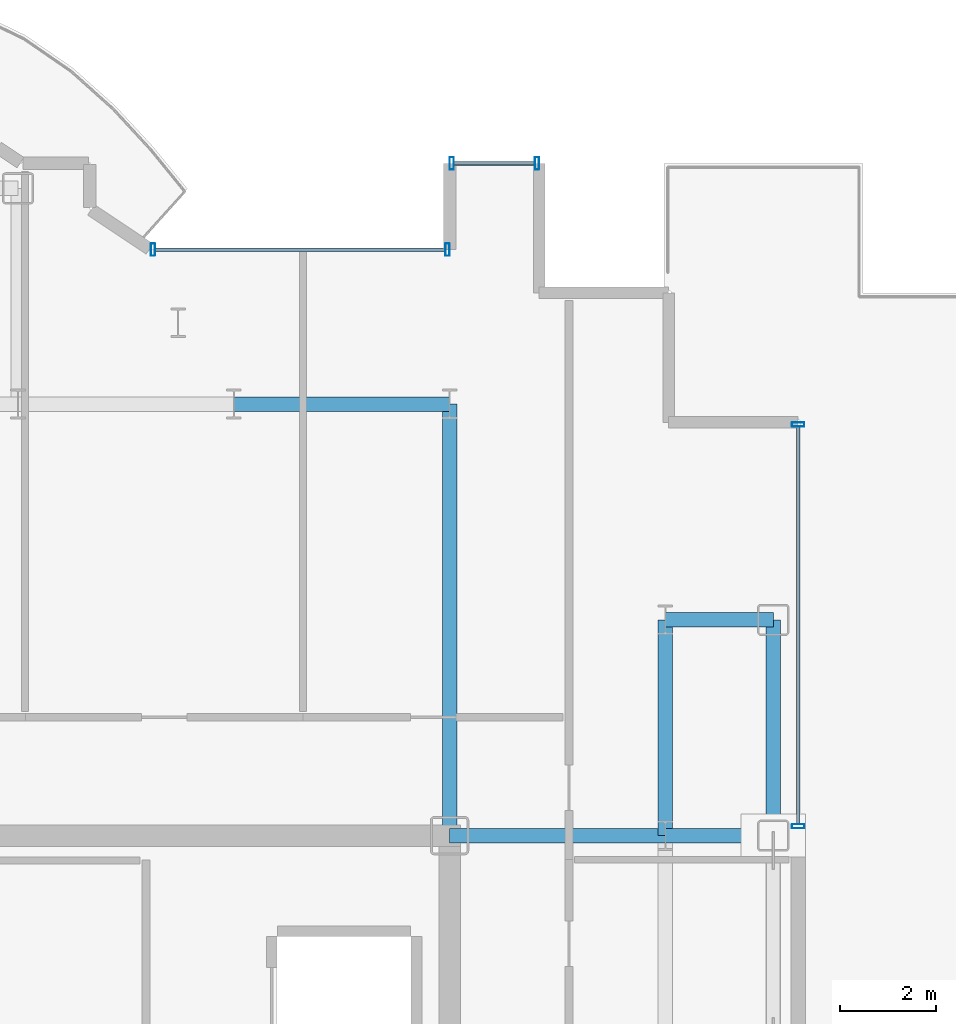
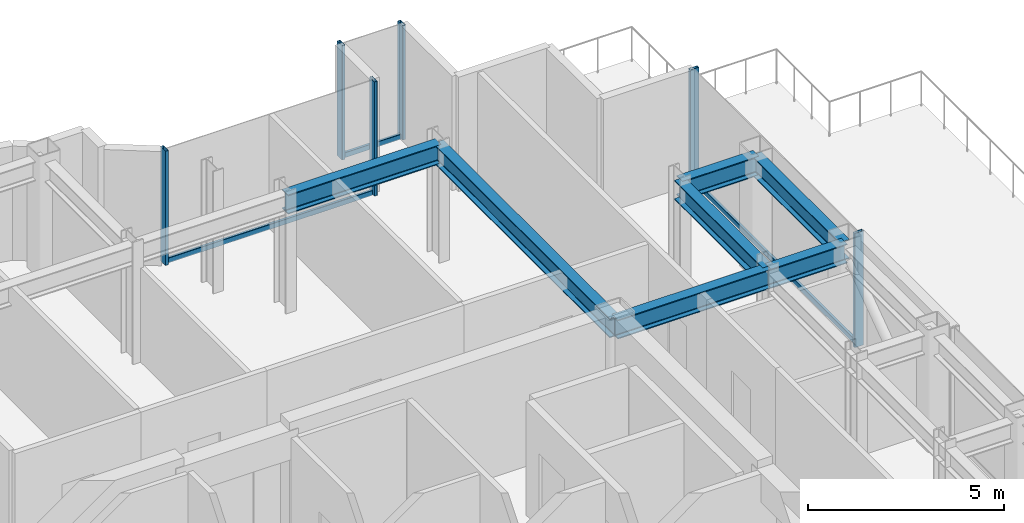
# One storey, part 9 of 17: 9 members, 7 beams, 3 elements without a shape of their own.
"""IFC4 building model written with IfcOpenShell, lengths in metres."""

from ifc_helpers import new_model, si_unit, direction, frame, origin, origin_2d, place, context, subcontext, project, spatial, hollow_rectangle, i_section, extrude, source, transform, mapped, material, layer, layer_set, material_profile, profile_set, type_object, element, aggregate, save


model = new_model("IFC4")

# Units and contexts
model_context = context("Model", 3, precision=1e-05, world=origin(), true_north=direction((0.0, 1.0)))
body_context = subcontext(model_context, "Body", "Model", "MODEL_VIEW")
ifc_project = project(units=[si_unit("LENGTHUNIT", "METRE"), si_unit("AREAUNIT", "SQUARE_METRE"), si_unit("VOLUMEUNIT", "CUBIC_METRE"), si_unit("PLANEANGLEUNIT", "RADIAN"), si_unit("MASSUNIT", "GRAM", prefix="KILO")], contexts=[model_context])

# Site, building, storey
site_placement = place(None, origin())
site = spatial("IfcSite", under=ifc_project, at=site_placement, CompositionType="ELEMENT")
building_placement = place(site_placement, origin())
building = spatial("IfcBuilding", under=site, at=building_placement, Name="Nefas-Gora Pilgrimage Tower", CompositionType="ELEMENT")
storey_placement = place(building_placement, frame((0.0, 0.0, 264.60009765625)))
storey = spatial("IfcBuildingStorey", under=building, at=storey_placement, Name="L66", CompositionType="ELEMENT", Elevation=264.60009765625)

# Beams
ifc_material_1 = material(Name="Steel S355", Category="steel")
ifc_material_profile_1 = material_profile(ifc_material_1, i_section(OverallWidth=0.300048828125, OverallDepth=0.60009765625, WebThickness=0.015380859375, FlangeThickness=0.030029296875, FilletRadius=0.027099609375, at=origin_2d()), Name="HEB 600")
ifc_profile_set_1 = profile_set([ifc_material_profile_1], Name="Steel S355")
beam_type_1 = type_object("IfcBeamType", Name="BM-SPN-HEB450", PredefinedType="SPANDREL", material=ifc_profile_set_1)
shared_shape_1 = source(origin(), body_context, "Body", "SweptSolid", [
    extrude(i_section(OverallWidth=0.300048828125, OverallDepth=0.60009765625, WebThickness=0.015380859375, FlangeThickness=0.030029296875, FilletRadius=0.027099609375, at=origin_2d()), origin(), (0.0, 0.0, 1.0), 4.5),
])
beam_1_placement = place(storey_placement, frame((18.0, 9.0, 3.25), z_axis=(0.0, 1.0, 0.0), x_axis=(-1.0, 0.0, 0.0)))
element("IfcBeam", 1, at=beam_1_placement, inside=storey, type_object=beam_type_1, Name="L66 SP-03 beam", PredefinedType="SPANDREL", context=body_context, shape_type="MappedRepresentation", body=[
    mapped(shared_shape_1, transform((0.0, 0.0, 0.0), x_axis=(1.0, 0.0, 0.0), y_axis=(0.0, 1.0, 0.0), z_axis=(0.0, 0.0, 1.0), scale=1.0)),
])
ifc_material_profile_2 = material_profile(ifc_material_1, i_section(OverallWidth=0.300048828125, OverallDepth=0.60009765625, WebThickness=0.015380859375, FlangeThickness=0.030029296875, FilletRadius=0.027099609375, at=origin_2d()), Name="HEB 600")
ifc_profile_set_2 = profile_set([ifc_material_profile_2], Name="Steel S355")
beam_type_2 = type_object("IfcBeamType", Name="BM-GIR-HEB600", PredefinedType="BEAM", material=ifc_profile_set_2)
shared_shape_2 = source(origin(), body_context, "Body", "SweptSolid", [
    extrude(i_section(OverallWidth=0.300048828125, OverallDepth=0.60009765625, WebThickness=0.015380859375, FlangeThickness=0.030029296875, FilletRadius=0.027099609375, at=origin_2d()), origin(), (0.0, 0.0, 1.0), 9.0),
])
beam_2_placement = place(storey_placement, frame((11.25, 9.0, 3.25), z_axis=(0.0, 1.0, 0.0), x_axis=(-1.0, 0.0, 0.0)))
element("IfcBeam", 2, at=beam_2_placement, inside=storey, type_object=beam_type_2, Name="L66 G-04 beam", PredefinedType="BEAM", context=body_context, shape_type="MappedRepresentation", body=[
    mapped(shared_shape_2, transform((0.0, 0.0, 0.0), x_axis=(1.0, 0.0, 0.0), y_axis=(0.0, 1.0, 0.0), z_axis=(0.0, 0.0, 1.0), scale=1.0)),
])
shared_shape_3 = source(origin(), body_context, "Body", "SweptSolid", [
    extrude(i_section(OverallWidth=0.300048828125, OverallDepth=0.60009765625, WebThickness=0.015380859375, FlangeThickness=0.030029296875, FilletRadius=0.027099609375, at=origin_2d()), origin(), (0.0, 0.0, 1.0), 4.5),
])
for number, where, z_axis, x_axis, name in (
    (3, (6.75, 18.0, 3.25), (1.0, 0.0, 0.0), (0.0, 1.0, 0.0), "L66 G-04 beam"),
    (4, (11.25, 9.0, 3.25), (1.0, 0.0, 0.0), (0.0, 1.0, 0.0), "L66 G-04 beam"),
    (5, (15.75, 9.0, 3.25), (0.0, 1.0, 0.0), (-1.0, 0.0, 0.0), "L66 G-04 beam"),
):
    element("IfcBeam", number, at=place(storey_placement, frame(where, z_axis=z_axis, x_axis=x_axis)), inside=storey, type_object=beam_type_2, Name=name, PredefinedType="BEAM", context=body_context, shape_type="MappedRepresentation", body=[
        mapped(shared_shape_3, transform((0.0, 0.0, 0.0), x_axis=(1.0, 0.0, 0.0), y_axis=(0.0, 1.0, 0.0), z_axis=(0.0, 0.0, 1.0), scale=1.0)),
    ])
shared_shape_4 = source(origin(), body_context, "Body", "SweptSolid", [
    extrude(i_section(OverallWidth=0.300048828125, OverallDepth=0.60009765625, WebThickness=0.015380859375, FlangeThickness=0.030029296875, FilletRadius=0.027099609375, at=origin_2d()), origin(), (0.0, 0.0, 1.0), 2.25),
])
for number, where, z_axis, x_axis, name in (
    (6, (15.75, 9.0, 3.25), (1.0, 0.0, 0.0), (0.0, 1.0, 0.0), "L66 G-04 beam"),
    (7, (15.75, 13.5, 3.25), (1.0, 0.0, 0.0), (0.0, 1.0, 0.0), "L66 G-04 beam"),
):
    element("IfcBeam", number, at=place(storey_placement, frame(where, z_axis=z_axis, x_axis=x_axis)), inside=storey, type_object=beam_type_2, Name=name, PredefinedType="BEAM", context=body_context, shape_type="MappedRepresentation", body=[
        mapped(shared_shape_4, transform((0.0, 0.0, 0.0), x_axis=(1.0, 0.0, 0.0), y_axis=(0.0, 1.0, 0.0), z_axis=(0.0, 0.0, 1.0), scale=1.0)),
    ])

# Curtain wall, members
ifc_material_2 = material(Name="Dark ceramic-fritted solar-control aluminium-glass curtain wall", Category="aluminium")
ifc_layer_1 = layer(ifc_material_2, 0.219970703125)
ifc_layer_set_1 = layer_set([ifc_layer_1], Name="Dark ceramic-fritted solar-control aluminium-glass curtain wall")
curtain_wall_type_1 = type_object("IfcCurtainWallType", Name="CW-SYS-5", PredefinedType="NOTDEFINED", material=ifc_layer_set_1)
curtain_wall_1_placement = place(storey_placement, origin())
curtain_wall_1 = element("IfcCurtainWall", 8, at=curtain_wall_1_placement, inside=storey, type_object=curtain_wall_type_1, Name="L66 Unitised Curtain Wall CW5", PredefinedType="NOTDEFINED")
ifc_material_3 = material(Name="Anodised architectural aluminium", Category="aluminium")
ifc_material_profile_3 = material_profile(ifc_material_3, hollow_rectangle(XDim=0.080078125, YDim=0.159912109375, WallThickness=0.00439453125, InnerFilletRadius=0.00439453125, OuterFilletRadius=0.009033203125, at=origin_2d()), Name="ALU TRANSOM 80x160")
ifc_profile_set_3 = profile_set([ifc_material_profile_3], Name="Anodised architectural aluminium")
member_type_1 = type_object("IfcMemberType", Name="CWM-TRN-5", PredefinedType="USERDEFINED", material=ifc_profile_set_3)
shared_shape_5 = source(origin(), body_context, "Body", "SweptSolid", [
    extrude(hollow_rectangle(XDim=0.080078125, YDim=0.159912109375, WallThickness=0.00439453125, InnerFilletRadius=0.00439453125, OuterFilletRadius=0.009033203125, at=origin_2d()), origin(), (0.0, 0.0, 1.0), 6.052001953125),
])
member_1_placement = place(storey_placement, frame((11.159912109375, 21.219970703125, 0.0498046875), z_axis=(-1.0, 0.0, 0.0), x_axis=(0.0, -1.0, 0.0)))
member_1 = element("IfcMember", 9, at=member_1_placement, type_object=member_type_1, Name="CW5 Spandrel Transom", ObjectType="TRANSOM", PredefinedType="USERDEFINED", context=body_context, shape_type="MappedRepresentation", body=[
    mapped(shared_shape_5, transform((0.0, 0.0, 0.0), x_axis=(1.0, 0.0, 0.0), y_axis=(0.0, 1.0, 0.0), z_axis=(0.0, 0.0, 1.0), scale=1.0)),
])
ifc_material_profile_4 = material_profile(ifc_material_3, hollow_rectangle(XDim=0.090087890625, YDim=0.260009765625, WallThickness=0.006103515625, InnerFilletRadius=0.006103515625, OuterFilletRadius=0.011962890625, at=origin_2d()), Name="ALU MULLION 90x260")
ifc_profile_set_4 = profile_set([ifc_material_profile_4], Name="Anodised architectural aluminium")
member_type_2 = type_object("IfcMemberType", Name="CWM-MUL-5", PredefinedType="MULLION", material=ifc_profile_set_4)
shared_shape_6 = source(origin(), body_context, "Body", "SweptSolid", [
    extrude(hollow_rectangle(XDim=0.090087890625, YDim=0.260009765625, WallThickness=0.006103515625, InnerFilletRadius=0.006103515625, OuterFilletRadius=0.011962890625, at=origin_2d()), origin(), (0.0, 0.0, 1.0), 3.5498046875),
])
member_2_placement = place(storey_placement, frame((11.205078125, 21.219970703125, 0.0), z_axis=(0.0, 0.0, 1.0), x_axis=(-1.0, 0.0, 0.0)))
member_2 = element("IfcMember", 10, at=member_2_placement, type_object=member_type_2, Name="CW5 Mullion 1", PredefinedType="MULLION", context=body_context, shape_type="MappedRepresentation", body=[
    mapped(shared_shape_6, transform((0.0, 0.0, 0.0), x_axis=(1.0, 0.0, 0.0), y_axis=(0.0, 1.0, 0.0), z_axis=(0.0, 0.0, 1.0), scale=1.0)),
])
member_3_placement = place(storey_placement, frame((5.06298828125, 21.219970703125, 0.0), z_axis=(0.0, 0.0, 1.0), x_axis=(-1.0, 0.0, 0.0)))
member_3 = element("IfcMember", 11, at=member_3_placement, type_object=member_type_2, Name="CW5 Mullion 2", PredefinedType="MULLION", context=body_context, shape_type="MappedRepresentation", body=[
    mapped(shared_shape_6, transform((0.0, 0.0, 0.0), x_axis=(1.0, 0.0, 0.0), y_axis=(0.0, 1.0, 0.0), z_axis=(0.0, 0.0, 1.0), scale=1.0)),
])
aggregate(curtain_wall_1, [member_2, member_3, member_1])

ifc_layer_2 = layer(ifc_material_2, 0.219970703125)
ifc_layer_set_2 = layer_set([ifc_layer_2], Name="Dark ceramic-fritted solar-control aluminium-glass curtain wall")
curtain_wall_type_2 = type_object("IfcCurtainWallType", Name="CW-SYS-4", PredefinedType="NOTDEFINED", material=ifc_layer_set_2)
curtain_wall_2_placement = place(storey_placement, origin())
curtain_wall_2 = element("IfcCurtainWall", 12, at=curtain_wall_2_placement, inside=storey, type_object=curtain_wall_type_2, Name="L66 Unitised Curtain Wall CW4", PredefinedType="NOTDEFINED")
ifc_material_profile_5 = material_profile(ifc_material_3, hollow_rectangle(XDim=0.090087890625, YDim=0.260009765625, WallThickness=0.006103515625, InnerFilletRadius=0.006103515625, OuterFilletRadius=0.011962890625, at=origin_2d()), Name="ALU MULLION 90x260")
ifc_profile_set_5 = profile_set([ifc_material_profile_5], Name="Anodised architectural aluminium")
member_type_3 = type_object("IfcMemberType", Name="CWM-MUL-4", PredefinedType="MULLION", material=ifc_profile_set_5)
shared_shape_7 = source(origin(), body_context, "Body", "SweptSolid", [
    extrude(hollow_rectangle(XDim=0.090087890625, YDim=0.260009765625, WallThickness=0.006103515625, InnerFilletRadius=0.006103515625, OuterFilletRadius=0.011962890625, at=origin_2d()), origin(), (0.0, 0.0, 1.0), 3.5498046875),
])
member_4_placement = place(storey_placement, frame((18.52001953125, 9.195068359375, 0.0), z_axis=(0.0, 0.0, 1.0), x_axis=(0.0, 1.0, 0.0)))
member_4 = element("IfcMember", 13, at=member_4_placement, type_object=member_type_3, Name="CW4 Mullion 1", PredefinedType="MULLION", context=body_context, shape_type="MappedRepresentation", body=[
    mapped(shared_shape_7, transform((0.0, 0.0, 0.0), x_axis=(1.0, 0.0, 0.0), y_axis=(0.0, 1.0, 0.0), z_axis=(0.0, 0.0, 1.0), scale=1.0)),
])
member_5_placement = place(storey_placement, frame((18.52001953125, 17.574951171875, 0.0), z_axis=(0.0, 0.0, 1.0), x_axis=(0.0, 1.0, 0.0)))
member_5 = element("IfcMember", 14, at=member_5_placement, type_object=member_type_3, Name="CW4 Mullion 2", PredefinedType="MULLION", context=body_context, shape_type="MappedRepresentation", body=[
    mapped(shared_shape_7, transform((0.0, 0.0, 0.0), x_axis=(1.0, 0.0, 0.0), y_axis=(0.0, 1.0, 0.0), z_axis=(0.0, 0.0, 1.0), scale=1.0)),
])

curtain_wall_3_placement = place(storey_placement, origin())
curtain_wall_3 = element("IfcCurtainWall", 15, at=curtain_wall_3_placement, inside=storey, type_object=curtain_wall_type_2, Name="L66 Unitised Curtain Wall CW4", PredefinedType="NOTDEFINED")
member_6_placement = place(storey_placement, frame((13.074951171875, 23.02001953125, 0.0), z_axis=(0.0, 0.0, 1.0), x_axis=(-1.0, 0.0, 0.0)))
member_6 = element("IfcMember", 16, at=member_6_placement, type_object=member_type_3, Name="CW4 Mullion 1", PredefinedType="MULLION", context=body_context, shape_type="MappedRepresentation", body=[
    mapped(shared_shape_7, transform((0.0, 0.0, 0.0), x_axis=(1.0, 0.0, 0.0), y_axis=(0.0, 1.0, 0.0), z_axis=(0.0, 0.0, 1.0), scale=1.0)),
])
member_7_placement = place(storey_placement, frame((11.294921875, 23.02001953125, 0.0), z_axis=(0.0, 0.0, 1.0), x_axis=(-1.0, 0.0, 0.0)))
member_7 = element("IfcMember", 17, at=member_7_placement, type_object=member_type_3, Name="CW4 Mullion 2", PredefinedType="MULLION", context=body_context, shape_type="MappedRepresentation", body=[
    mapped(shared_shape_7, transform((0.0, 0.0, 0.0), x_axis=(1.0, 0.0, 0.0), y_axis=(0.0, 1.0, 0.0), z_axis=(0.0, 0.0, 1.0), scale=1.0)),
])

# Member
ifc_material_profile_6 = material_profile(ifc_material_3, hollow_rectangle(XDim=0.080078125, YDim=0.159912109375, WallThickness=0.00439453125, InnerFilletRadius=0.00439453125, OuterFilletRadius=0.009033203125, at=origin_2d()), Name="ALU TRANSOM 80x160")
ifc_profile_set_6 = profile_set([ifc_material_profile_6], Name="Anodised architectural aluminium")
member_type_4 = type_object("IfcMemberType", Name="CWM-TRN-4", PredefinedType="USERDEFINED", material=ifc_profile_set_6)
shared_shape_8 = source(origin(), body_context, "Body", "SweptSolid", [
    extrude(hollow_rectangle(XDim=0.080078125, YDim=0.159912109375, WallThickness=0.00439453125, InnerFilletRadius=0.00439453125, OuterFilletRadius=0.009033203125, at=origin_2d()), origin(), (0.0, 0.0, 1.0), 8.2900390625),
])
member_8_placement = place(storey_placement, frame((18.52001953125, 9.239990234375, 0.0498046875), z_axis=(0.0, 1.0, 0.0), x_axis=(-1.0, 0.0, 0.0)))
member_8 = element("IfcMember", 18, at=member_8_placement, type_object=member_type_4, Name="CW4 Spandrel Transom", ObjectType="TRANSOM", PredefinedType="USERDEFINED", context=body_context, shape_type="MappedRepresentation", body=[
    mapped(shared_shape_8, transform((0.0, 0.0, 0.0), x_axis=(1.0, 0.0, 0.0), y_axis=(0.0, 1.0, 0.0), z_axis=(0.0, 0.0, 1.0), scale=1.0)),
])

aggregate(curtain_wall_2, [member_4, member_5, member_8])

shared_shape_9 = source(origin(), body_context, "Body", "SweptSolid", [
    extrude(hollow_rectangle(XDim=0.080078125, YDim=0.159912109375, WallThickness=0.00439453125, InnerFilletRadius=0.00439453125, OuterFilletRadius=0.009033203125, at=origin_2d()), origin(), (0.0, 0.0, 1.0), 1.68994140625),
])
member_9_placement = place(storey_placement, frame((13.030029296875, 23.02001953125, 0.0498046875), z_axis=(-1.0, 0.0, 0.0), x_axis=(0.0, -1.0, 0.0)))
member_9 = element("IfcMember", 19, at=member_9_placement, type_object=member_type_4, Name="CW4 Spandrel Transom", ObjectType="TRANSOM", PredefinedType="USERDEFINED", context=body_context, shape_type="MappedRepresentation", body=[
    mapped(shared_shape_9, transform((0.0, 0.0, 0.0), x_axis=(1.0, 0.0, 0.0), y_axis=(0.0, 1.0, 0.0), z_axis=(0.0, 0.0, 1.0), scale=1.0)),
])

aggregate(curtain_wall_3, [member_6, member_7, member_9])

save(model, "model.ifc")
